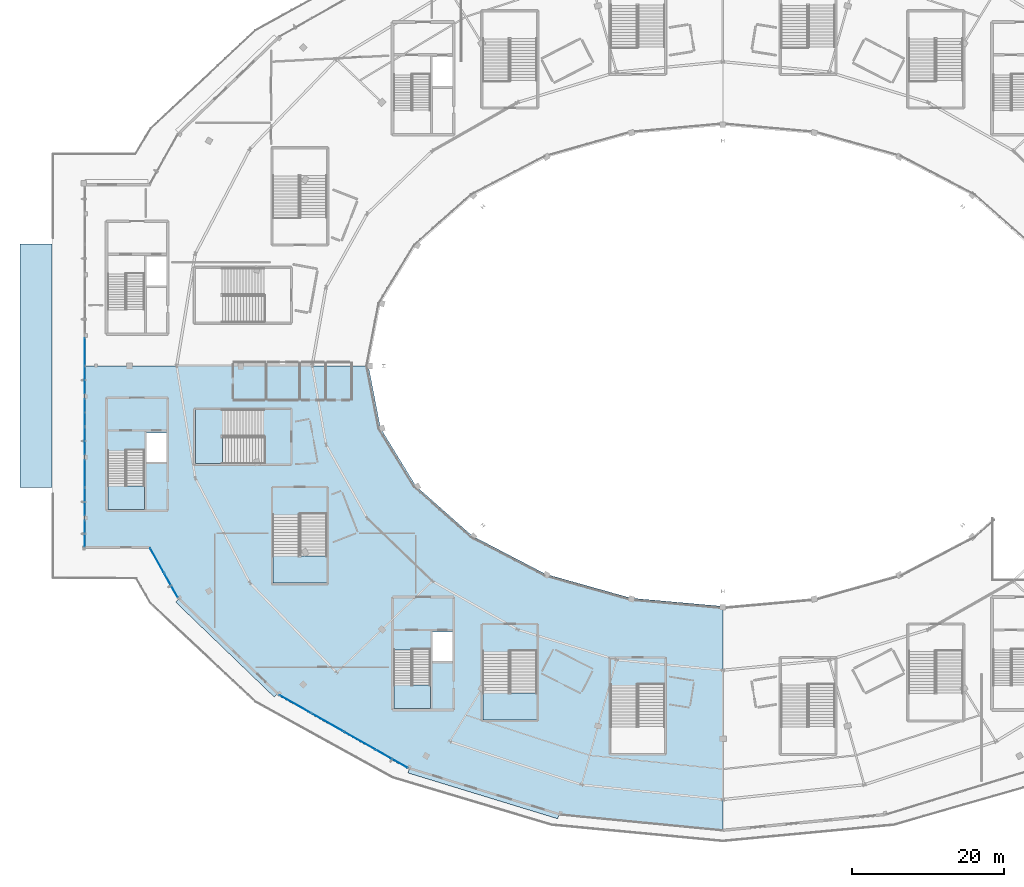
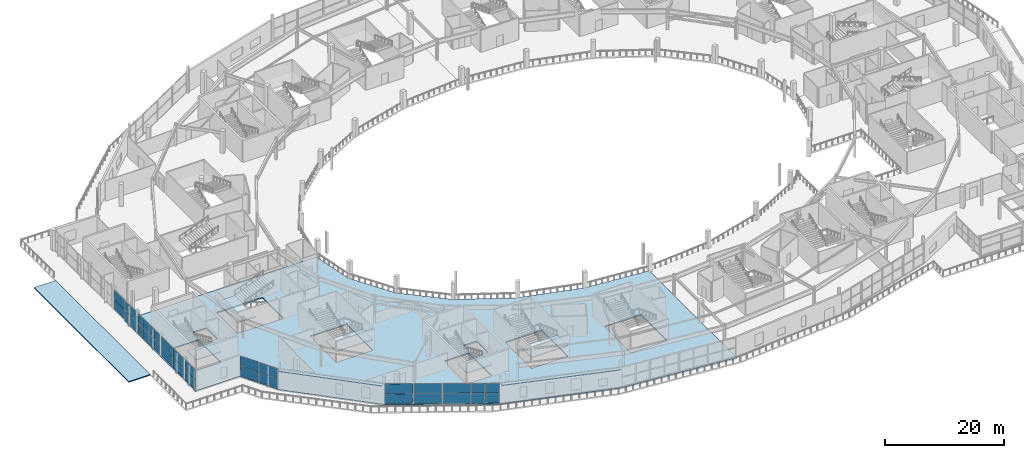
# One storey, part 73 of 123: 36 plates, 7 slabs, 18 elements without a shape of their own.
"""IFC4 building model written with IfcOpenShell, lengths in metres."""

from ifc_helpers import new_model, si_unit, direction, frame, origin, origin_2d, place, context, subcontext, project, spatial, polyline, rectangle, outline, extrude, material, layer, layer_set, type_object, element, aggregate, save


model = new_model("IFC4")

# Units and contexts
model_context = context("Model", 3, precision=1e-05, world=origin(), true_north=direction((0.0, 1.0)))
body_context = subcontext(model_context, "Body", "Model", "MODEL_VIEW")
ifc_project = project(units=[si_unit("LENGTHUNIT", "METRE"), si_unit("AREAUNIT", "SQUARE_METRE"), si_unit("VOLUMEUNIT", "CUBIC_METRE"), si_unit("PLANEANGLEUNIT", "RADIAN"), si_unit("MASSUNIT", "GRAM", prefix="KILO")], contexts=[model_context])

# Site, building, storey
site_placement = place(None, origin())
site = spatial("IfcSite", under=ifc_project, at=site_placement, CompositionType="ELEMENT")
building_placement = place(site_placement, origin())
building = spatial("IfcBuilding", under=site, at=building_placement, Name="Kalgoora Escarpment Arena", CompositionType="ELEMENT")
storey_placement = place(building_placement, frame((0.0, 0.0, 9.89990234375)))
storey = spatial("IfcBuildingStorey", under=building, at=storey_placement, Name="L02", CompositionType="ELEMENT", Elevation=9.89990234375)

# Curtain wall, plates
ifc_material_1 = material(Name=" Champagne anodised aluminium & double-glazed low-E", Category="aluminium")
ifc_layer_1 = layer(ifc_material_1, 0.162109375)
ifc_layer_set_1 = layer_set([ifc_layer_1], Name="CW-UNIT-13")
curtain_wall_type_1 = type_object("IfcCurtainWallType", Name="CW-UNIT-13", PredefinedType="NOTDEFINED", material=ifc_layer_set_1)
curtain_wall_1_placement = place(storey_placement, origin())
curtain_wall_1 = element("IfcCurtainWall", 1, at=curtain_wall_1_placement, inside=storey, type_object=curtain_wall_type_1, Name="L02 unitised facade curtain wall 052", PredefinedType="NOTDEFINED")
ifc_material_2 = material(Name="Low-E double-glazed insulated glass", Category="glass")
ifc_layer_2 = layer(ifc_material_2, 0.028076171875)
ifc_layer_set_2 = layer_set([ifc_layer_2], Name="PLT-CW-GLAZ-28")
plate_type_1 = type_object("IfcPlateType", Name="PLT-CW-GLAZ-28", PredefinedType="CURTAIN_PANEL", material=ifc_layer_set_2)
plate_1_placement = place(storey_placement, frame((44.662841796875, 14.7314453125, 0.0751953125), z_axis=(0.0, 0.0, 1.0), x_axis=(-0.869833000046, 0.493346280042, 0.0)))
plate_1 = element("IfcPlate", 2, at=plate_1_placement, type_object=plate_type_1, Name="CW-13 panel 1.1", PredefinedType="CURTAIN_PANEL", context=body_context, shape_type="SweptSolid", body=[
    extrude(rectangle(XDim=4.63525390625, YDim=0.028076171875, at=origin_2d()), origin(), (0.0, 0.0, 1.0), 2.030029296875),
])
plate_2_placement = place(storey_placement, frame((44.662841796875, 14.7314453125, 2.16015625), z_axis=(0.0, 0.0, 1.0), x_axis=(-0.869833000046, 0.493346280042, 0.0)))
plate_2 = element("IfcPlate", 3, at=plate_2_placement, type_object=plate_type_1, Name="CW-13 panel 1.2", PredefinedType="CURTAIN_PANEL", context=body_context, shape_type="SweptSolid", body=[
    extrude(rectangle(XDim=4.63525390625, YDim=0.028076171875, at=origin_2d()), origin(), (0.0, 0.0, 1.0), 2.010009765625),
])
aggregate(curtain_wall_1, [plate_1, plate_2])

ifc_material_3 = material(Name=" Champagne anodised aluminium & double-glazed low-E", Category="aluminium")
ifc_layer_3 = layer(ifc_material_3, 0.14990234375)
ifc_layer_set_3 = layer_set([ifc_layer_3], Name="CW-UNIT-15")
curtain_wall_type_2 = type_object("IfcCurtainWallType", Name="CW-UNIT-15", PredefinedType="NOTDEFINED", material=ifc_layer_set_3)
curtain_wall_2_placement = place(storey_placement, origin())
curtain_wall_2 = element("IfcCurtainWall", 4, at=curtain_wall_2_placement, inside=storey, type_object=curtain_wall_type_2, Name="L02 unitised facade curtain wall 054", PredefinedType="NOTDEFINED")
plate_3_placement = place(storey_placement, frame((36.194580078125, 19.5341796875, 0.0751953125), z_axis=(0.0, 0.0, 1.0), x_axis=(-0.86983436933, 0.49334386581, 0.0)))
plate_3 = element("IfcPlate", 5, at=plate_3_placement, type_object=plate_type_1, Name="CW-15 panel 1.1", PredefinedType="CURTAIN_PANEL", context=body_context, shape_type="SweptSolid", body=[
    extrude(rectangle(XDim=4.68505859375, YDim=0.028076171875, at=origin_2d()), origin(), (0.0, 0.0, 1.0), 2.030029296875),
])
plate_4_placement = place(storey_placement, frame((36.194580078125, 19.5341796875, 2.16015625), z_axis=(0.0, 0.0, 1.0), x_axis=(-0.86983436933, 0.49334386581, 0.0)))
plate_4 = element("IfcPlate", 6, at=plate_4_placement, type_object=plate_type_1, Name="CW-15 panel 1.2", PredefinedType="CURTAIN_PANEL", context=body_context, shape_type="SweptSolid", body=[
    extrude(rectangle(XDim=4.68505859375, YDim=0.028076171875, at=origin_2d()), origin(), (0.0, 0.0, 1.0), 2.010009765625),
])
aggregate(curtain_wall_2, [plate_3, plate_4])

ifc_material_4 = material(Name=" Champagne anodised aluminium & double-glazed low-E", Category="aluminium")
ifc_layer_4 = layer(ifc_material_4, 0.157958984375)
ifc_layer_set_4 = layer_set([ifc_layer_4], Name="CW-UNIT-17")
curtain_wall_type_3 = type_object("IfcCurtainWallType", Name="CW-UNIT-17", PredefinedType="NOTDEFINED", material=ifc_layer_set_4)
curtain_wall_3_placement = place(storey_placement, origin())
curtain_wall_3 = element("IfcCurtainWall", 7, at=curtain_wall_3_placement, inside=storey, type_object=curtain_wall_type_3, Name="L02 unitised facade curtain wall 056", PredefinedType="NOTDEFINED")
plate_5_placement = place(storey_placement, frame((18.001953125, 38.447509765625, 0.0751953125), z_axis=(0.0, 0.0, 1.0), x_axis=(-0.488859706375, 0.872362417509, 0.0)))
plate_5 = element("IfcPlate", 8, at=plate_5_placement, type_object=plate_type_1, Name="CW-17 panel 1.1", PredefinedType="CURTAIN_PANEL", context=body_context, shape_type="SweptSolid", body=[
    extrude(rectangle(XDim=3.57421875, YDim=0.028076171875, at=origin_2d()), origin(), (0.0, 0.0, 1.0), 2.030029296875),
])
plate_6_placement = place(storey_placement, frame((18.001953125, 38.447509765625, 2.16015625), z_axis=(0.0, 0.0, 1.0), x_axis=(-0.488859706375, 0.872362417509, 0.0)))
plate_6 = element("IfcPlate", 9, at=plate_6_placement, type_object=plate_type_1, Name="CW-17 panel 1.2", PredefinedType="CURTAIN_PANEL", context=body_context, shape_type="SweptSolid", body=[
    extrude(rectangle(XDim=3.57421875, YDim=0.028076171875, at=origin_2d()), origin(), (0.0, 0.0, 1.0), 2.010009765625),
])
aggregate(curtain_wall_3, [plate_5, plate_6])

ifc_material_5 = material(Name=" Champagne anodised aluminium & double-glazed low-E", Category="aluminium")
ifc_layer_5 = layer(ifc_material_5, 0.166015625)
ifc_layer_set_5 = layer_set([ifc_layer_5], Name="CW-UNIT-19")
curtain_wall_type_4 = type_object("IfcCurtainWallType", Name="CW-UNIT-19", PredefinedType="NOTDEFINED", material=ifc_layer_set_5)
curtain_wall_4_placement = place(storey_placement, origin())
curtain_wall_4 = element("IfcCurtainWall", 10, at=curtain_wall_4_placement, inside=storey, type_object=curtain_wall_type_4, Name="L02 unitised facade curtain wall 058", PredefinedType="NOTDEFINED")
plate_7_placement = place(storey_placement, frame((8.52001953125, 46.132080078125, 0.0751953125), z_axis=(0.0, 0.0, 1.0), x_axis=(0.0, 1.0, 0.0)))
plate_7 = element("IfcPlate", 11, at=plate_7_placement, type_object=plate_type_1, Name="CW-19 panel 1.1", PredefinedType="CURTAIN_PANEL", context=body_context, shape_type="SweptSolid", body=[
    extrude(rectangle(XDim=3.515869140625, YDim=0.028076171875, at=origin_2d()), origin(), (0.0, 0.0, 1.0), 1.992431640625),
])
plate_8_placement = place(storey_placement, frame((8.52001953125, 46.132080078125, 2.12255859375), z_axis=(0.0, 0.0, 1.0), x_axis=(0.0, 1.0, 0.0)))
plate_8 = element("IfcPlate", 12, at=plate_8_placement, type_object=plate_type_1, Name="CW-19 panel 1.2", PredefinedType="CURTAIN_PANEL", context=body_context, shape_type="SweptSolid", body=[
    extrude(rectangle(XDim=3.515869140625, YDim=0.028076171875, at=origin_2d()), origin(), (0.0, 0.0, 1.0), 1.972412109375),
])
aggregate(curtain_wall_4, [plate_7, plate_8])

ifc_material_6 = material(Name=" Champagne anodised aluminium & double-glazed low-E", Category="aluminium")
ifc_layer_6 = layer(ifc_material_6, 0.154052734375)
ifc_layer_set_6 = layer_set([ifc_layer_6], Name="CW-UNIT-01")
curtain_wall_type_5 = type_object("IfcCurtainWallType", Name="CW-UNIT-01", PredefinedType="NOTDEFINED", material=ifc_layer_set_6)
curtain_wall_5_placement = place(storey_placement, origin())
curtain_wall_5 = element("IfcCurtainWall", 13, at=curtain_wall_5_placement, inside=storey, type_object=curtain_wall_type_5, Name="L02 unitised facade curtain wall 060", PredefinedType="NOTDEFINED")
plate_9_placement = place(storey_placement, frame((8.52001953125, 53.239501953125, 0.080078125), z_axis=(0.0, 0.0, 1.0), x_axis=(0.0, 1.0, 0.0)))
plate_9 = element("IfcPlate", 14, at=plate_9_placement, type_object=plate_type_1, Name="CW-01 panel 1.1", PredefinedType="CURTAIN_PANEL", context=body_context, shape_type="SweptSolid", body=[
    extrude(rectangle(XDim=1.720458984375, YDim=0.028076171875, at=origin_2d()), origin(), (0.0, 0.0, 1.0), 1.985107421875),
])
plate_10_placement = place(storey_placement, frame((8.52001953125, 53.239501953125, 2.125), z_axis=(0.0, 0.0, 1.0), x_axis=(0.0, 1.0, 0.0)))
plate_10 = element("IfcPlate", 15, at=plate_10_placement, type_object=plate_type_1, Name="CW-01 panel 1.2", PredefinedType="CURTAIN_PANEL", context=body_context, shape_type="SweptSolid", body=[
    extrude(rectangle(XDim=1.720458984375, YDim=0.028076171875, at=origin_2d()), origin(), (0.0, 0.0, 1.0), 1.965087890625),
])
plate_11_placement = place(storey_placement, frame((8.52001953125, 55.02490234375, 0.080078125), z_axis=(0.0, 0.0, 1.0), x_axis=(0.0, 1.0, 0.0)))
plate_11 = element("IfcPlate", 16, at=plate_11_placement, type_object=plate_type_1, Name="CW-01 panel 2.1", PredefinedType="CURTAIN_PANEL", context=body_context, shape_type="SweptSolid", body=[
    extrude(rectangle(XDim=1.720458984375, YDim=0.028076171875, at=origin_2d()), origin(), (0.0, 0.0, 1.0), 1.985107421875),
])
plate_12_placement = place(storey_placement, frame((8.52001953125, 55.02490234375, 2.125), z_axis=(0.0, 0.0, 1.0), x_axis=(0.0, 1.0, 0.0)))
plate_12 = element("IfcPlate", 17, at=plate_12_placement, type_object=plate_type_1, Name="CW-01 panel 2.2", PredefinedType="CURTAIN_PANEL", context=body_context, shape_type="SweptSolid", body=[
    extrude(rectangle(XDim=1.720458984375, YDim=0.028076171875, at=origin_2d()), origin(), (0.0, 0.0, 1.0), 1.965087890625),
])
aggregate(curtain_wall_5, [plate_9, plate_10, plate_11, plate_12])

ifc_material_7 = material(Name=" Champagne anodised aluminium & double-glazed low-E", Category="aluminium")
ifc_layer_7 = layer(ifc_material_7, 0.162109375)
ifc_layer_set_7 = layer_set([ifc_layer_7], Name="CW-UNIT-03")
curtain_wall_type_6 = type_object("IfcCurtainWallType", Name="CW-UNIT-03", PredefinedType="NOTDEFINED", material=ifc_layer_set_7)
curtain_wall_6_placement = place(storey_placement, origin())
curtain_wall_6 = element("IfcCurtainWall", 18, at=curtain_wall_6_placement, inside=storey, type_object=curtain_wall_type_6, Name="L02 unitised facade curtain wall 062", PredefinedType="NOTDEFINED")
plate_13_placement = place(storey_placement, frame((8.52001953125, 61.239501953125, 0.080078125), z_axis=(0.0, 0.0, 1.0), x_axis=(0.0, 1.0, 0.0)))
plate_13 = element("IfcPlate", 19, at=plate_13_placement, type_object=plate_type_1, Name="CW-03 panel 1.1", PredefinedType="CURTAIN_PANEL", context=body_context, shape_type="SweptSolid", body=[
    extrude(rectangle(XDim=1.720458984375, YDim=0.028076171875, at=origin_2d()), origin(), (0.0, 0.0, 1.0), 1.985107421875),
])
plate_14_placement = place(storey_placement, frame((8.52001953125, 61.239501953125, 2.125), z_axis=(0.0, 0.0, 1.0), x_axis=(0.0, 1.0, 0.0)))
plate_14 = element("IfcPlate", 20, at=plate_14_placement, type_object=plate_type_1, Name="CW-03 panel 1.2", PredefinedType="CURTAIN_PANEL", context=body_context, shape_type="SweptSolid", body=[
    extrude(rectangle(XDim=1.720458984375, YDim=0.028076171875, at=origin_2d()), origin(), (0.0, 0.0, 1.0), 1.965087890625),
])
plate_15_placement = place(storey_placement, frame((8.52001953125, 63.02490234375, 0.080078125), z_axis=(0.0, 0.0, 1.0), x_axis=(0.0, 1.0, 0.0)))
plate_15 = element("IfcPlate", 21, at=plate_15_placement, type_object=plate_type_1, Name="CW-03 panel 2.1", PredefinedType="CURTAIN_PANEL", context=body_context, shape_type="SweptSolid", body=[
    extrude(rectangle(XDim=1.720458984375, YDim=0.028076171875, at=origin_2d()), origin(), (0.0, 0.0, 1.0), 1.985107421875),
])
plate_16_placement = place(storey_placement, frame((8.52001953125, 63.02490234375, 2.125), z_axis=(0.0, 0.0, 1.0), x_axis=(0.0, 1.0, 0.0)))
plate_16 = element("IfcPlate", 22, at=plate_16_placement, type_object=plate_type_1, Name="CW-03 panel 2.2", PredefinedType="CURTAIN_PANEL", context=body_context, shape_type="SweptSolid", body=[
    extrude(rectangle(XDim=1.720458984375, YDim=0.028076171875, at=origin_2d()), origin(), (0.0, 0.0, 1.0), 1.965087890625),
])
aggregate(curtain_wall_6, [plate_13, plate_14, plate_15, plate_16])

ifc_material_8 = material(Name=" Champagne anodised aluminium & double-glazed low-E", Category="aluminium")
ifc_layer_8 = layer(ifc_material_8, 0.157958984375)
ifc_layer_set_8 = layer_set([ifc_layer_8], Name="CW-UNIT-12")
curtain_wall_type_7 = type_object("IfcCurtainWallType", Name="CW-UNIT-12", PredefinedType="NOTDEFINED", material=ifc_layer_set_8)
curtain_wall_7_placement = place(storey_placement, origin())
curtain_wall_7 = element("IfcCurtainWall", 23, at=curtain_wall_7_placement, inside=storey, type_object=curtain_wall_type_7, Name="L02 unitised facade curtain wall 051", PredefinedType="NOTDEFINED")
ifc_material_9 = material(Name="Acoustic laminated solar-control glass", Category="glass")
ifc_layer_9 = layer(ifc_material_9, 0.033935546875)
ifc_layer_set_9 = layer_set([ifc_layer_9], Name="PLT-CW-GLAZ-34")
plate_type_2 = type_object("IfcPlateType", Name="PLT-CW-GLAZ-34", PredefinedType="CURTAIN_PANEL", material=ifc_layer_set_9)
plate_17_placement = place(storey_placement, frame((49.939697265625, 11.738525390625, 0.0751953125), z_axis=(0.0, 0.0, 1.0), x_axis=(-0.86983436933, 0.49334386581, 0.0)))
plate_17 = element("IfcPlate", 24, at=plate_17_placement, type_object=plate_type_2, Name="CW-12 panel 1.1", PredefinedType="CURTAIN_PANEL", context=body_context, shape_type="SweptSolid", body=[
    extrude(rectangle(XDim=2.3125, YDim=0.033935546875, at=origin_2d()), origin(), (0.0, 0.0, 1.0), 2.030029296875),
])
plate_18_placement = place(storey_placement, frame((49.939697265625, 11.738525390625, 2.16015625), z_axis=(0.0, 0.0, 1.0), x_axis=(-0.86983436933, 0.49334386581, 0.0)))
plate_18 = element("IfcPlate", 25, at=plate_18_placement, type_object=plate_type_2, Name="CW-12 panel 1.2", PredefinedType="CURTAIN_PANEL", context=body_context, shape_type="SweptSolid", body=[
    extrude(rectangle(XDim=2.3125, YDim=0.033935546875, at=origin_2d()), origin(), (0.0, 0.0, 1.0), 2.010009765625),
])
plate_19_placement = place(storey_placement, frame((47.8759765625, 12.908935546875, 0.0751953125), z_axis=(0.0, 0.0, 1.0), x_axis=(-0.86983436933, 0.49334386581, 0.0)))
plate_19 = element("IfcPlate", 26, at=plate_19_placement, type_object=plate_type_2, Name="CW-12 panel 2.1", PredefinedType="CURTAIN_PANEL", context=body_context, shape_type="SweptSolid", body=[
    extrude(rectangle(XDim=2.3125, YDim=0.033935546875, at=origin_2d()), origin(), (0.0, 0.0, 1.0), 2.030029296875),
])
plate_20_placement = place(storey_placement, frame((47.8759765625, 12.908935546875, 2.16015625), z_axis=(0.0, 0.0, 1.0), x_axis=(-0.86983436933, 0.49334386581, 0.0)))
plate_20 = element("IfcPlate", 27, at=plate_20_placement, type_object=plate_type_2, Name="CW-12 panel 2.2", PredefinedType="CURTAIN_PANEL", context=body_context, shape_type="SweptSolid", body=[
    extrude(rectangle(XDim=2.3125, YDim=0.033935546875, at=origin_2d()), origin(), (0.0, 0.0, 1.0), 2.010009765625),
])
aggregate(curtain_wall_7, [plate_17, plate_18, plate_19, plate_20])

ifc_material_10 = material(Name=" Champagne anodised aluminium & double-glazed low-E", Category="aluminium")
ifc_layer_10 = layer(ifc_material_10, 0.166015625)
ifc_layer_set_10 = layer_set([ifc_layer_10], Name="CW-UNIT-14")
curtain_wall_type_8 = type_object("IfcCurtainWallType", Name="CW-UNIT-14", PredefinedType="NOTDEFINED", material=ifc_layer_set_10)
curtain_wall_8_placement = place(storey_placement, origin())
curtain_wall_8 = element("IfcCurtainWall", 28, at=curtain_wall_8_placement, inside=storey, type_object=curtain_wall_type_8, Name="L02 unitised facade curtain wall 053", PredefinedType="NOTDEFINED")
plate_21_placement = place(storey_placement, frame((40.439453125, 17.126708984375, 0.0751953125), z_axis=(0.0, 0.0, 1.0), x_axis=(-0.869842024256, 0.493330368859, 0.0)))
plate_21 = element("IfcPlate", 29, at=plate_21_placement, type_object=plate_type_2, Name="CW-14 panel 1.1", PredefinedType="CURTAIN_PANEL", context=body_context, shape_type="SweptSolid", body=[
    extrude(rectangle(XDim=4.63525390625, YDim=0.033935546875, at=origin_2d()), origin(), (0.0, 0.0, 1.0), 2.030029296875),
])
plate_22_placement = place(storey_placement, frame((40.439453125, 17.126708984375, 2.16015625), z_axis=(0.0, 0.0, 1.0), x_axis=(-0.869842024256, 0.493330368859, 0.0)))
plate_22 = element("IfcPlate", 30, at=plate_22_placement, type_object=plate_type_2, Name="CW-14 panel 1.2", PredefinedType="CURTAIN_PANEL", context=body_context, shape_type="SweptSolid", body=[
    extrude(rectangle(XDim=4.63525390625, YDim=0.033935546875, at=origin_2d()), origin(), (0.0, 0.0, 1.0), 2.010009765625),
])
aggregate(curtain_wall_8, [plate_21, plate_22])

ifc_material_11 = material(Name=" Champagne anodised aluminium & double-glazed low-E", Category="aluminium")
ifc_layer_11 = layer(ifc_material_11, 0.154052734375)
ifc_layer_set_11 = layer_set([ifc_layer_11], Name="CW-UNIT-16")
curtain_wall_type_9 = type_object("IfcCurtainWallType", Name="CW-UNIT-16", PredefinedType="NOTDEFINED", material=ifc_layer_set_11)
curtain_wall_9_placement = place(storey_placement, origin())
curtain_wall_9 = element("IfcCurtainWall", 31, at=curtain_wall_9_placement, inside=storey, type_object=curtain_wall_type_9, Name="L02 unitised facade curtain wall 055", PredefinedType="NOTDEFINED")
plate_23_placement = place(storey_placement, frame((19.85693359375, 35.1376953125, 0.0751953125), z_axis=(0.0, 0.0, 1.0), x_axis=(-0.488871251019, 0.872355947952, 0.0)))
plate_23 = element("IfcPlate", 32, at=plate_23_placement, type_object=plate_type_2, Name="CW-16 panel 1.1", PredefinedType="CURTAIN_PANEL", context=body_context, shape_type="SweptSolid", body=[
    extrude(rectangle(XDim=3.573974609375, YDim=0.033935546875, at=origin_2d()), origin(), (0.0, 0.0, 1.0), 2.030029296875),
])
plate_24_placement = place(storey_placement, frame((19.85693359375, 35.1376953125, 2.16015625), z_axis=(0.0, 0.0, 1.0), x_axis=(-0.488871251019, 0.872355947952, 0.0)))
plate_24 = element("IfcPlate", 33, at=plate_24_placement, type_object=plate_type_2, Name="CW-16 panel 1.2", PredefinedType="CURTAIN_PANEL", context=body_context, shape_type="SweptSolid", body=[
    extrude(rectangle(XDim=3.573974609375, YDim=0.033935546875, at=origin_2d()), origin(), (0.0, 0.0, 1.0), 2.010009765625),
])
aggregate(curtain_wall_9, [plate_23, plate_24])

ifc_material_12 = material(Name=" Champagne anodised aluminium & double-glazed low-E", Category="aluminium")
ifc_layer_12 = layer(ifc_material_12, 0.162109375)
ifc_layer_set_12 = layer_set([ifc_layer_12], Name="CW-UNIT-18")
curtain_wall_type_10 = type_object("IfcCurtainWallType", Name="CW-UNIT-18", PredefinedType="NOTDEFINED", material=ifc_layer_set_12)
curtain_wall_10_placement = place(storey_placement, origin())
curtain_wall_10 = element("IfcCurtainWall", 34, at=curtain_wall_10_placement, inside=storey, type_object=curtain_wall_type_10, Name="L02 unitised facade curtain wall 057", PredefinedType="NOTDEFINED")
plate_25_placement = place(storey_placement, frame((8.52001953125, 41.938232421875, 0.0751953125), z_axis=(0.0, 0.0, 1.0), x_axis=(0.0, 1.0, 0.0)))
plate_25 = element("IfcPlate", 35, at=plate_25_placement, type_object=plate_type_2, Name="CW-18 panel 1.1", PredefinedType="CURTAIN_PANEL", context=body_context, shape_type="SweptSolid", body=[
    extrude(rectangle(XDim=3.375, YDim=0.033935546875, at=origin_2d()), origin(), (0.0, 0.0, 1.0), 1.992431640625),
])
plate_26_placement = place(storey_placement, frame((8.52001953125, 41.938232421875, 2.12255859375), z_axis=(0.0, 0.0, 1.0), x_axis=(0.0, 1.0, 0.0)))
plate_26 = element("IfcPlate", 36, at=plate_26_placement, type_object=plate_type_2, Name="CW-18 panel 1.2", PredefinedType="CURTAIN_PANEL", context=body_context, shape_type="SweptSolid", body=[
    extrude(rectangle(XDim=3.375, YDim=0.033935546875, at=origin_2d()), origin(), (0.0, 0.0, 1.0), 1.972412109375),
])
aggregate(curtain_wall_10, [plate_25, plate_26])

ifc_material_13 = material(Name=" Champagne anodised aluminium & double-glazed low-E", Category="aluminium")
ifc_layer_13 = layer(ifc_material_13, 0.14990234375)
ifc_layer_set_13 = layer_set([ifc_layer_13], Name="CW-UNIT-20")
curtain_wall_type_11 = type_object("IfcCurtainWallType", Name="CW-UNIT-20", PredefinedType="NOTDEFINED", material=ifc_layer_set_13)
curtain_wall_11_placement = place(storey_placement, origin())
curtain_wall_11 = element("IfcCurtainWall", 37, at=curtain_wall_11_placement, inside=storey, type_object=curtain_wall_type_11, Name="L02 unitised facade curtain wall 059", PredefinedType="NOTDEFINED")
plate_27_placement = place(storey_placement, frame((8.52001953125, 49.867919921875, 0.0751953125), z_axis=(0.0, 0.0, 1.0), x_axis=(0.0, 1.0, 0.0)))
plate_27 = element("IfcPlate", 38, at=plate_27_placement, type_object=plate_type_2, Name="CW-20 panel 1.1", PredefinedType="CURTAIN_PANEL", context=body_context, shape_type="SweptSolid", body=[
    extrude(rectangle(XDim=3.515869140625, YDim=0.033935546875, at=origin_2d()), origin(), (0.0, 0.0, 1.0), 1.992431640625),
])
plate_28_placement = place(storey_placement, frame((8.52001953125, 49.867919921875, 2.12255859375), z_axis=(0.0, 0.0, 1.0), x_axis=(0.0, 1.0, 0.0)))
plate_28 = element("IfcPlate", 39, at=plate_28_placement, type_object=plate_type_2, Name="CW-20 panel 1.2", PredefinedType="CURTAIN_PANEL", context=body_context, shape_type="SweptSolid", body=[
    extrude(rectangle(XDim=3.515869140625, YDim=0.033935546875, at=origin_2d()), origin(), (0.0, 0.0, 1.0), 1.972412109375),
])
aggregate(curtain_wall_11, [plate_27, plate_28])

ifc_material_14 = material(Name=" Champagne anodised aluminium & double-glazed low-E", Category="aluminium")
ifc_layer_14 = layer(ifc_material_14, 0.157958984375)
ifc_layer_set_14 = layer_set([ifc_layer_14], Name="CW-UNIT-02")
curtain_wall_type_12 = type_object("IfcCurtainWallType", Name="CW-UNIT-02", PredefinedType="NOTDEFINED", material=ifc_layer_set_14)
curtain_wall_12_placement = place(storey_placement, origin())
curtain_wall_12 = element("IfcCurtainWall", 40, at=curtain_wall_12_placement, inside=storey, type_object=curtain_wall_type_12, Name="L02 unitised facade curtain wall 061", PredefinedType="NOTDEFINED")
plate_29_placement = place(storey_placement, frame((8.52001953125, 56.97509765625, 0.080078125), z_axis=(0.0, 0.0, 1.0), x_axis=(0.0, 1.0, 0.0)))
plate_29 = element("IfcPlate", 41, at=plate_29_placement, type_object=plate_type_2, Name="CW-02 panel 1.1", PredefinedType="CURTAIN_PANEL", context=body_context, shape_type="SweptSolid", body=[
    extrude(rectangle(XDim=1.720458984375, YDim=0.033935546875, at=origin_2d()), origin(), (0.0, 0.0, 1.0), 1.985107421875),
])
plate_30_placement = place(storey_placement, frame((8.52001953125, 56.97509765625, 2.125), z_axis=(0.0, 0.0, 1.0), x_axis=(0.0, 1.0, 0.0)))
plate_30 = element("IfcPlate", 42, at=plate_30_placement, type_object=plate_type_2, Name="CW-02 panel 1.2", PredefinedType="CURTAIN_PANEL", context=body_context, shape_type="SweptSolid", body=[
    extrude(rectangle(XDim=1.720458984375, YDim=0.033935546875, at=origin_2d()), origin(), (0.0, 0.0, 1.0), 1.965087890625),
])
plate_31_placement = place(storey_placement, frame((8.52001953125, 58.760498046875, 0.080078125), z_axis=(0.0, 0.0, 1.0), x_axis=(0.0, 1.0, 0.0)))
plate_31 = element("IfcPlate", 43, at=plate_31_placement, type_object=plate_type_2, Name="CW-02 panel 2.1", PredefinedType="CURTAIN_PANEL", context=body_context, shape_type="SweptSolid", body=[
    extrude(rectangle(XDim=1.720458984375, YDim=0.033935546875, at=origin_2d()), origin(), (0.0, 0.0, 1.0), 1.985107421875),
])
plate_32_placement = place(storey_placement, frame((8.52001953125, 58.760498046875, 2.125), z_axis=(0.0, 0.0, 1.0), x_axis=(0.0, 1.0, 0.0)))
plate_32 = element("IfcPlate", 44, at=plate_32_placement, type_object=plate_type_2, Name="CW-02 panel 2.2", PredefinedType="CURTAIN_PANEL", context=body_context, shape_type="SweptSolid", body=[
    extrude(rectangle(XDim=1.720458984375, YDim=0.033935546875, at=origin_2d()), origin(), (0.0, 0.0, 1.0), 1.965087890625),
])
aggregate(curtain_wall_12, [plate_29, plate_30, plate_31, plate_32])

ifc_material_15 = material(Name=" Champagne anodised aluminium & double-glazed low-E", Category="aluminium")
ifc_layer_15 = layer(ifc_material_15, 0.166015625)
ifc_layer_set_15 = layer_set([ifc_layer_15], Name="CW-UNIT-04")
curtain_wall_type_13 = type_object("IfcCurtainWallType", Name="CW-UNIT-04", PredefinedType="NOTDEFINED", material=ifc_layer_set_15)
curtain_wall_13_placement = place(storey_placement, origin())
curtain_wall_13 = element("IfcCurtainWall", 45, at=curtain_wall_13_placement, inside=storey, type_object=curtain_wall_type_13, Name="L02 unitised facade curtain wall 063", PredefinedType="NOTDEFINED")
plate_33_placement = place(storey_placement, frame((8.52001953125, 65.867919921875, 0.080078125), z_axis=(0.0, 0.0, 1.0), x_axis=(0.0, 1.0, 0.0)))
plate_33 = element("IfcPlate", 46, at=plate_33_placement, type_object=plate_type_2, Name="CW-04 panel 1.1", PredefinedType="CURTAIN_PANEL", context=body_context, shape_type="SweptSolid", body=[
    extrude(rectangle(XDim=3.505859375, YDim=0.033935546875, at=origin_2d()), origin(), (0.0, 0.0, 1.0), 1.985107421875),
])
plate_34_placement = place(storey_placement, frame((8.52001953125, 65.867919921875, 2.125), z_axis=(0.0, 0.0, 1.0), x_axis=(0.0, 1.0, 0.0)))
plate_34 = element("IfcPlate", 47, at=plate_34_placement, type_object=plate_type_2, Name="CW-04 panel 1.2", PredefinedType="CURTAIN_PANEL", context=body_context, shape_type="SweptSolid", body=[
    extrude(rectangle(XDim=3.505859375, YDim=0.033935546875, at=origin_2d()), origin(), (0.0, 0.0, 1.0), 1.965087890625),
])
aggregate(curtain_wall_13, [plate_33, plate_34])

# Plates
ifc_material_16 = material(Name="Champagne anodised Art Deco solar brise-soleil hood", Category="aluminium")
ifc_layer_16 = layer(ifc_material_16, 0.1201171875)
ifc_layer_set_16 = layer_set([ifc_layer_16], Name="PLT-DECO-EYEBROW")
plate_type_3 = type_object("IfcPlateType", Name="PLT-DECO-EYEBROW", PredefinedType="SHEET", material=ifc_layer_set_16)
plate_35_placement = place(storey_placement, frame((60.948974609375, 7.8251953125, 3.985107421875), z_axis=(0.0, 0.0, 1.0), x_axis=(-0.956202640726, 0.292705500237, 0.0)))
element("IfcPlate", 48, at=plate_35_placement, inside=storey, type_object=plate_type_3, Name="L02 Art Deco horizontal solar brise-soleil eyebrow 042", PredefinedType="SHEET", context=body_context, shape_type="SweptSolid", body=[
    extrude(rectangle(XDim=20.5849609375, YDim=0.719970703125, at=origin_2d()), origin(), (0.0, 0.0, 1.0), 0.1201171875),
])
plate_36_placement = place(storey_placement, frame((27.1875, 26.974365234375, 3.985107421875), z_axis=(0.0, 0.0, 1.0), x_axis=(-0.720187948577, 0.693779012888, 0.0)))
element("IfcPlate", 49, at=plate_36_placement, inside=storey, type_object=plate_type_3, Name="L02 Art Deco horizontal solar brise-soleil eyebrow 043", PredefinedType="SHEET", context=body_context, shape_type="SweptSolid", body=[
    extrude(rectangle(XDim=17.969970703125, YDim=0.719970703125, at=origin_2d()), origin(), (0.0, 0.0, 1.0), 0.1201171875),
])

# Slabs
ifc_material_17 = material(Name="Concrete N40 (fc' 40 MPa)", Category="concrete")
ifc_layer_17 = layer(ifc_material_17, 0.260009765625)
ifc_layer_set_17 = layer_set([ifc_layer_17], Name="SLB-CONC-260")
slab_type_1 = type_object("IfcSlabType", Name="SLB-CONC-260", PredefinedType="FLOOR", material=ifc_layer_set_17)
slab_1_placement = place(storey_placement, frame((0.0, 0.0, -0.260009765625)))
element("IfcSlab", 50, at=slab_1_placement, inside=storey, type_object=slab_type_1, Name="L02 concourse ring SW floor slab", PredefinedType="FLOOR", context=body_context, shape_type="SweptSolid", body=[
    extrude(outline(polyline([(70.9697265625, 4.88525390625), (51.0, 10.999267578125), (33.8515625, 20.72509765625), (20.693115234375, 33.39990234375), (16.994384765625, 40.0), (8.39990234375, 40.0), (8.39990234375, 64.0), (45.800048828125, 64.0), (47.387939453125, 55.8212890625), (52.043212890625, 48.199951171875), (59.44873046875, 41.655517578125), (69.10009765625, 36.633544921875), (80.339111328125, 33.476806640625), (92.39990234375, 32.39990234375), (92.39990234375, 2.800048828125), (70.9697265625, 4.88525390625)]), holes=[polyline([(84.75, 21.949951171875), (77.64990234375, 21.949951171875), (77.64990234375, 13.050048828125), (84.75, 13.050048828125), (84.75, 21.949951171875)]), polyline([(67.949951171875, 26.35009765625), (60.85009765625, 26.35009765625), (60.85009765625, 17.449951171875), (67.949951171875, 17.449951171875), (67.949951171875, 26.35009765625)]), polyline([(53.949951171875, 26.64990234375), (49.14990234375, 26.64990234375), (49.14990234375, 18.949951171875), (53.949951171875, 18.949951171875), (53.949951171875, 26.64990234375)]), polyline([(56.85009765625, 29.0), (54.25, 29.0), (54.25, 25.199951171875), (56.85009765625, 25.199951171875), (56.85009765625, 29.0)]), polyline([(40.35009765625, 44.35009765625), (33.25, 44.35009765625), (33.25, 35.449951171875), (40.35009765625, 35.449951171875), (40.35009765625, 44.35009765625)]), polyline([(16.35009765625, 52.85009765625), (11.550048828125, 52.85009765625), (11.550048828125, 45.14990234375), (16.35009765625, 45.14990234375), (16.35009765625, 52.85009765625)]), polyline([(19.25, 55.199951171875), (16.64990234375, 55.199951171875), (16.64990234375, 51.39990234375), (19.25, 51.39990234375), (19.25, 55.199951171875)]), polyline([(31.949951171875, 58.25), (23.050048828125, 58.25), (23.050048828125, 51.14990234375), (31.949951171875, 51.14990234375), (31.949951171875, 58.25)])]), origin(), (0.0, 0.0, 1.0), 0.260009765625),
])
ifc_material_18 = material(Name="Concrete N40 (fc' 40 MPa)", Category="concrete")
ifc_layer_18 = layer(ifc_material_18, 0.18994140625)
ifc_layer_set_18 = layer_set([ifc_layer_18], Name="SLB-ROOF-190")
slab_type_2 = type_object("IfcSlabType", Name="SLB-ROOF-190", PredefinedType="ROOF", material=ifc_layer_set_18)
slab_2_placement = place(storey_placement, frame((0.0, 0.0, -0.18994140625)))
element("IfcSlab", 51, at=slab_2_placement, inside=storey, type_object=slab_type_2, Name="West ziggurat entrance canopy roof slab", PredefinedType="ROOF", context=body_context, shape_type="SweptSolid", body=[
    extrude(outline(polyline([(4.199951171875, 48.0), (4.199951171875, 80.0), (0.0, 80.0), (0.0, 48.0), (4.199951171875, 48.0)])), origin(), (0.0, 0.0, 1.0), 0.18994140625),
])

# Stair, slab
ifc_material_19 = material(Name="Concrete N40 (fc' 40 MPa)", Category="concrete")
stair_type_1 = type_object("IfcStairType", Name="STR-EXIT-2", PredefinedType="HALF_TURN_STAIR", material=ifc_material_19)
stair_1_placement = place(storey_placement, origin())
stair_1 = element("IfcStair", 52, at=stair_1_placement, inside=storey, type_object=stair_type_1, Name="Fire-isolated exit stair ST02 (L02)", PredefinedType="HALF_TURN_STAIR")
ifc_material_20 = material(Name="Concrete N40 (fc' 40 MPa)", Category="concrete")
ifc_layer_19 = layer(ifc_material_20, 0.219970703125)
ifc_layer_set_19 = layer_set([ifc_layer_19], Name="SLB-ST-LAND-220")
slab_type_3 = type_object("IfcSlabType", Name="SLB-ST-LAND-220", PredefinedType="LANDING", material=ifc_layer_set_19)
slab_3_placement = place(storey_placement, frame((0.0, 0.0, 2.030029296875)))
slab_3 = element("IfcSlab", 53, at=slab_3_placement, type_object=slab_type_3, Name="ST02 L02 half-landing", PredefinedType="LANDING", context=body_context, shape_type="SweptSolid", body=[
    extrude(outline(polyline([(16.35009765625, 48.239990234375), (16.35009765625, 45.14990234375), (11.550048828125, 45.14990234375), (11.550048828125, 48.239990234375), (16.35009765625, 48.239990234375)])), origin(), (0.0, 0.0, 1.0), 0.219970703125),
])
aggregate(stair_1, [slab_3])

ifc_material_21 = material(Name="Concrete N40 (fc' 40 MPa)", Category="concrete")
stair_type_2 = type_object("IfcStairType", Name="STR-EXIT-1", PredefinedType="HALF_TURN_STAIR", material=ifc_material_21)
stair_2_placement = place(storey_placement, origin())
stair_2 = element("IfcStair", 54, at=stair_2_placement, inside=storey, type_object=stair_type_2, Name="Fire-isolated exit stair ST05 (L02)", PredefinedType="HALF_TURN_STAIR")
slab_4_placement = place(storey_placement, frame((0.0, 0.0, 2.030029296875)))
slab_4 = element("IfcSlab", 55, at=slab_4_placement, type_object=slab_type_3, Name="ST05 L02 half-landing", PredefinedType="LANDING", context=body_context, shape_type="SweptSolid", body=[
    extrude(outline(polyline([(53.949951171875, 22.0400390625), (53.949951171875, 18.949951171875), (49.14990234375, 18.949951171875), (49.14990234375, 22.0400390625), (53.949951171875, 22.0400390625)])), origin(), (0.0, 0.0, 1.0), 0.219970703125),
])
aggregate(stair_2, [slab_4])

ifc_material_22 = material(Name="Precast concrete N50 (fc' 50 MPa)", Category="concrete")
stair_type_3 = type_object("IfcStairType", Name="STR-STAD-1", PredefinedType="HALF_TURN_STAIR", material=ifc_material_22)
stair_3_placement = place(storey_placement, origin())
stair_3 = element("IfcStair", 56, at=stair_3_placement, inside=storey, type_object=stair_type_3, Name="Fire-isolated exit stair ST13 (L02)", PredefinedType="HALF_TURN_STAIR")
slab_5_placement = place(storey_placement, frame((0.0, 0.0, 2.030029296875)))
slab_5 = element("IfcSlab", 57, at=slab_5_placement, type_object=slab_type_3, Name="ST13 L02 half-landing", PredefinedType="LANDING", context=body_context, shape_type="SweptSolid", body=[
    extrude(outline(polyline([(67.949951171875, 21.0), (67.949951171875, 17.449951171875), (60.85009765625, 17.449951171875), (60.85009765625, 21.0), (67.949951171875, 21.0)])), origin(), (0.0, 0.0, 1.0), 0.219970703125),
])
aggregate(stair_3, [slab_5])

ifc_material_23 = material(Name="Precast concrete N50 (fc' 50 MPa)", Category="concrete")
stair_type_4 = type_object("IfcStairType", Name="STR-STAD-2", PredefinedType="HALF_TURN_STAIR", material=ifc_material_23)
stair_4_placement = place(storey_placement, origin())
stair_4 = element("IfcStair", 58, at=stair_4_placement, inside=storey, type_object=stair_type_4, Name="Fire-isolated exit stair ST18 (L02)", PredefinedType="HALF_TURN_STAIR")
slab_6_placement = place(storey_placement, frame((0.0, 0.0, 2.030029296875)))
slab_6 = element("IfcSlab", 59, at=slab_6_placement, type_object=slab_type_3, Name="ST18 L02 half-landing", PredefinedType="LANDING", context=body_context, shape_type="SweptSolid", body=[
    extrude(outline(polyline([(26.60009765625, 51.14990234375), (23.050048828125, 51.14990234375), (23.050048828125, 58.25), (26.60009765625, 58.25), (26.60009765625, 51.14990234375)])), origin(), (0.0, 0.0, 1.0), 0.219970703125),
])
aggregate(stair_4, [slab_6])

ifc_material_24 = material(Name="Precast concrete N50 (fc' 50 MPa)", Category="concrete")
stair_type_5 = type_object("IfcStairType", Name="STR-STAD-4", PredefinedType="HALF_TURN_STAIR", material=ifc_material_24)
stair_5_placement = place(storey_placement, origin())
stair_5 = element("IfcStair", 60, at=stair_5_placement, inside=storey, type_object=stair_type_5, Name="Fire-isolated exit stair ST20 (L02)", PredefinedType="HALF_TURN_STAIR")
slab_7_placement = place(storey_placement, frame((0.0, 0.0, 2.030029296875)))
slab_7 = element("IfcSlab", 61, at=slab_7_placement, type_object=slab_type_3, Name="ST20 L02 half-landing", PredefinedType="LANDING", context=body_context, shape_type="SweptSolid", body=[
    extrude(outline(polyline([(40.35009765625, 39.0), (40.35009765625, 35.449951171875), (33.25, 35.449951171875), (33.25, 39.0), (40.35009765625, 39.0)])), origin(), (0.0, 0.0, 1.0), 0.219970703125),
])
aggregate(stair_5, [slab_7])

save(model, "model.ifc")
